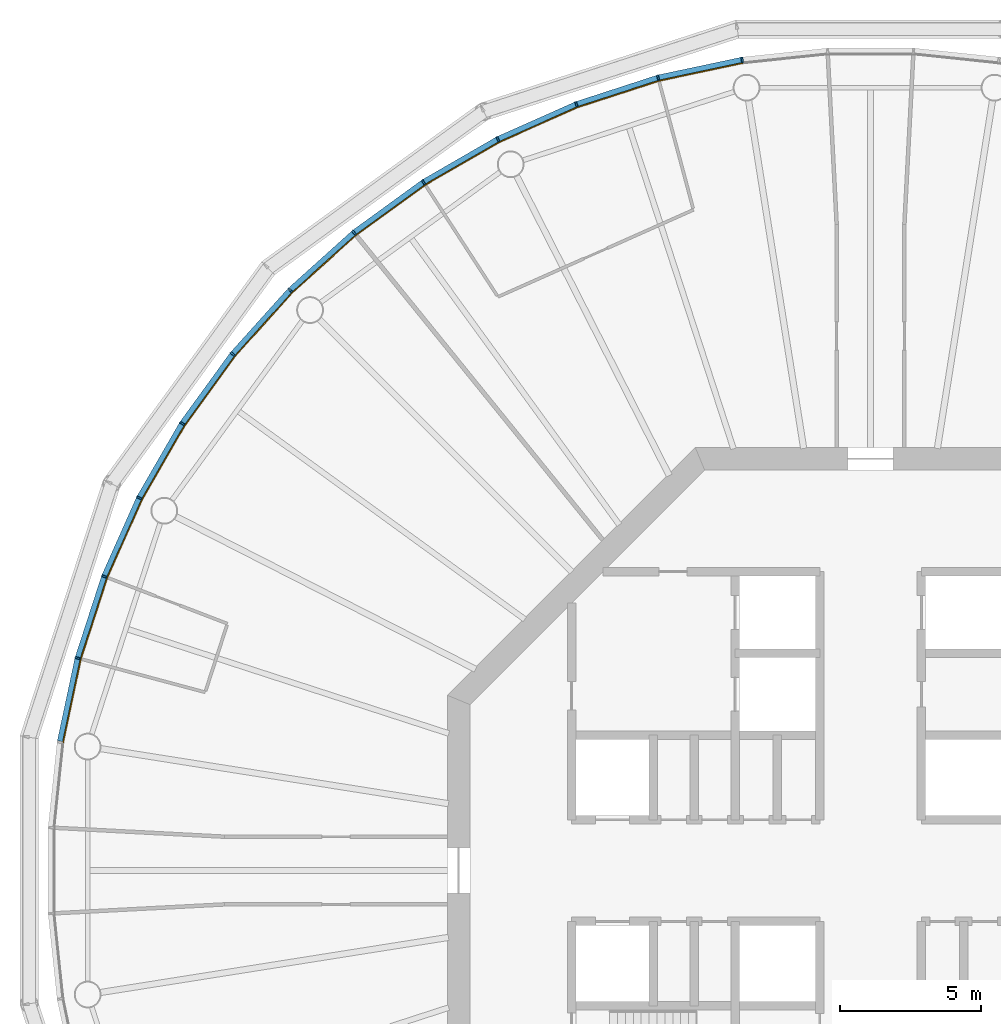
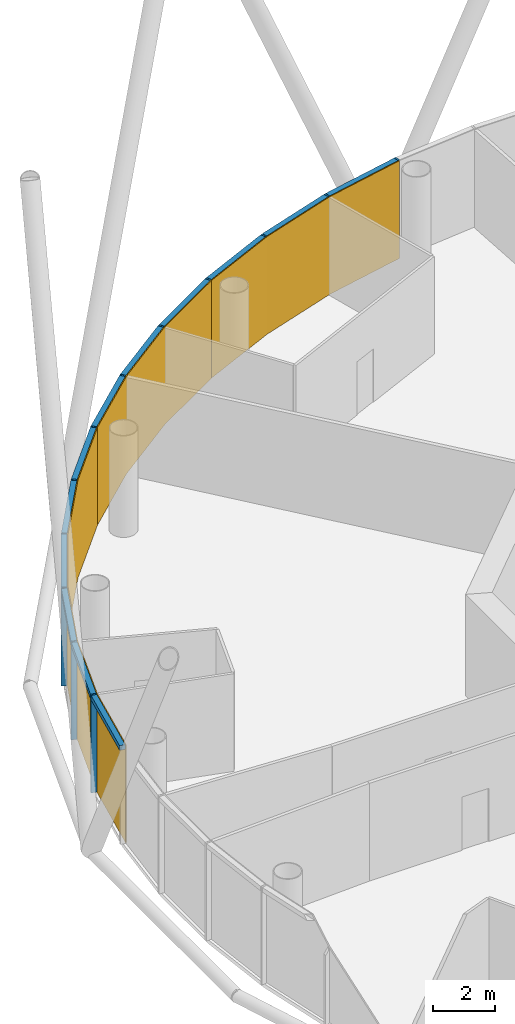
# One storey, part 10 of 13: 24 members, 4 curtain walls.
"""IFC4 building model written with IfcOpenShell, lengths in metres."""

from ifc_helpers import new_model, si_unit, direction, frame, origin, origin_2d, place, context, subcontext, project, spatial, polyline, rectangle, outline, extrude, material, layer, layer_set, material_profile, profile_set, type_object, element, aggregate, save


model = new_model("IFC4")

# Units and contexts
model_context = context("Model", 3, precision=1e-05, world=origin(), true_north=direction((0.0, 1.0)))
body_context = subcontext(model_context, "Body", "Model", "MODEL_VIEW")
ifc_project = project(units=[si_unit("LENGTHUNIT", "METRE"), si_unit("AREAUNIT", "SQUARE_METRE"), si_unit("VOLUMEUNIT", "CUBIC_METRE"), si_unit("PLANEANGLEUNIT", "RADIAN"), si_unit("MASSUNIT", "GRAM", prefix="KILO")], contexts=[model_context])

# Member
ifc_material_1 = material(Name="Anodised aluminium", Category="aluminium")
ifc_material_profile_1 = material_profile(ifc_material_1, rectangle(XDim=0.06494140625, YDim=0.195068359375, at=origin_2d()), Name="Mullion 65 x 195 mm anodised aluminium")
ifc_profile_set_1 = profile_set([ifc_material_profile_1], Name="Anodised aluminium")
member_type_1 = type_object("IfcMemberType", Name="Mullion 65 x 195 mm anodised aluminium", PredefinedType="MULLION", material=ifc_profile_set_1)
site_placement = place(None, origin())
building_placement = place(site_placement, origin())
storey_placement = place(building_placement, frame((0.0, 0.0, 310.0)))
member_1_placement = place(storey_placement, frame((85.4482421875, 108.7392578125, 0.0), z_axis=(0.0, 0.0, 1.0), x_axis=(-0.987688340595, -0.15643446504, 0.0)))
member_1 = element("IfcMember", 1, at=member_1_placement, type_object=member_type_1, Name="MULLION L71-15", PredefinedType="MULLION", context=body_context, shape_type="SweptSolid", body=[
    extrude(rectangle(XDim=0.06494140625, YDim=0.195068359375, at=origin_2d()), origin(), (0.0, 0.0, 1.0), 3.85009765625),
])

member_2_placement = place(storey_placement, frame((82.468994140625, 108.10595703125, 0.0), z_axis=(0.0, 0.0, 1.0), x_axis=(-0.965925826289, -0.258819045103, 0.0)))
member_2 = element("IfcMember", 2, at=member_2_placement, type_object=member_type_1, Name="MULLION L71-16", PredefinedType="MULLION", context=body_context, shape_type="SweptSolid", body=[
    extrude(rectangle(XDim=0.06494140625, YDim=0.195068359375, at=origin_2d()), origin(), (0.0, 0.0, 1.0), 3.85009765625),
])

member_3_placement = place(storey_placement, frame((79.572509765625, 107.164794921875, 0.0), z_axis=(0.0, 0.0, 1.0), x_axis=(-0.933580426497, -0.358367949545, 0.0)))
member_3 = element("IfcMember", 3, at=member_3_placement, type_object=member_type_1, Name="MULLION L71-17", PredefinedType="MULLION", context=body_context, shape_type="SweptSolid", body=[
    extrude(rectangle(XDim=0.06494140625, YDim=0.195068359375, at=origin_2d()), origin(), (0.0, 0.0, 1.0), 3.85009765625),
])

member_4_placement = place(storey_placement, frame((76.7900390625, 105.926025390625, 0.0), z_axis=(0.0, 0.0, 1.0), x_axis=(-0.891006524188, -0.45399049974, 0.0)))
member_4 = element("IfcMember", 4, at=member_4_placement, type_object=member_type_1, Name="MULLION L71-18", PredefinedType="MULLION", context=body_context, shape_type="SweptSolid", body=[
    extrude(rectangle(XDim=0.06494140625, YDim=0.195068359375, at=origin_2d()), origin(), (0.0, 0.0, 1.0), 3.85009765625),
])

member_5_placement = place(storey_placement, frame((74.15234375, 104.4033203125, 0.0), z_axis=(0.0, 0.0, 1.0), x_axis=(-0.838670567945, -0.544639035015, 0.0)))
member_5 = element("IfcMember", 5, at=member_5_placement, type_object=member_type_1, Name="MULLION L71-19", PredefinedType="MULLION", context=body_context, shape_type="SweptSolid", body=[
    extrude(rectangle(XDim=0.06494140625, YDim=0.195068359375, at=origin_2d()), origin(), (0.0, 0.0, 1.0), 3.85009765625),
])

member_6_placement = place(storey_placement, frame((71.688232421875, 102.613037109375, 0.0), z_axis=(0.0, 0.0, 1.0), x_axis=(-0.777145961457, -0.62932039105, 0.0)))
member_6 = element("IfcMember", 6, at=member_6_placement, type_object=member_type_1, Name="MULLION L71-20", PredefinedType="MULLION", context=body_context, shape_type="SweptSolid", body=[
    extrude(rectangle(XDim=0.06494140625, YDim=0.195068359375, at=origin_2d()), origin(), (0.0, 0.0, 1.0), 3.85009765625),
])

member_7_placement = place(storey_placement, frame((69.425048828125, 100.574951171875, 0.0), z_axis=(0.0, 0.0, 1.0), x_axis=(-0.707106781187, -0.707106781187, 0.0)))
member_7 = element("IfcMember", 7, at=member_7_placement, type_object=member_type_1, Name="MULLION L71-21", PredefinedType="MULLION", context=body_context, shape_type="SweptSolid", body=[
    extrude(rectangle(XDim=0.06494140625, YDim=0.195068359375, at=origin_2d()), origin(), (0.0, 0.0, 1.0), 3.85009765625),
])

member_8_placement = place(storey_placement, frame((67.386962890625, 98.311767578125, 0.0), z_axis=(0.0, 0.0, 1.0), x_axis=(-0.62932039105, -0.777145961457, 0.0)))
member_8 = element("IfcMember", 8, at=member_8_placement, type_object=member_type_1, Name="MULLION L71-22", PredefinedType="MULLION", context=body_context, shape_type="SweptSolid", body=[
    extrude(rectangle(XDim=0.06494140625, YDim=0.195068359375, at=origin_2d()), origin(), (0.0, 0.0, 1.0), 3.85009765625),
])

member_9_placement = place(storey_placement, frame((65.5966796875, 95.84765625, 0.0), z_axis=(0.0, 0.0, 1.0), x_axis=(-0.544639035015, -0.838670567945, 0.0)))
member_9 = element("IfcMember", 9, at=member_9_placement, type_object=member_type_1, Name="MULLION L71-23", PredefinedType="MULLION", context=body_context, shape_type="SweptSolid", body=[
    extrude(rectangle(XDim=0.06494140625, YDim=0.195068359375, at=origin_2d()), origin(), (0.0, 0.0, 1.0), 3.85009765625),
])

member_10_placement = place(storey_placement, frame((64.073974609375, 93.2099609375, 0.0), z_axis=(0.0, 0.0, 1.0), x_axis=(-0.45399049974, -0.891006524188, 0.0)))
member_10 = element("IfcMember", 10, at=member_10_placement, type_object=member_type_1, Name="MULLION L71-24", PredefinedType="MULLION", context=body_context, shape_type="SweptSolid", body=[
    extrude(rectangle(XDim=0.06494140625, YDim=0.195068359375, at=origin_2d()), origin(), (0.0, 0.0, 1.0), 3.85009765625),
])

member_11_placement = place(storey_placement, frame((62.835205078125, 90.427490234375, 0.0), z_axis=(0.0, 0.0, 1.0), x_axis=(-0.358367949545, -0.933580426497, 0.0)))
member_11 = element("IfcMember", 11, at=member_11_placement, type_object=member_type_1, Name="MULLION L71-25", PredefinedType="MULLION", context=body_context, shape_type="SweptSolid", body=[
    extrude(rectangle(XDim=0.06494140625, YDim=0.195068359375, at=origin_2d()), origin(), (0.0, 0.0, 1.0), 3.85009765625),
])

member_12_placement = place(storey_placement, frame((61.89404296875, 87.531005859375, 0.0), z_axis=(0.0, 0.0, 1.0), x_axis=(-0.258819045103, -0.965925826289, 0.0)))
member_12 = element("IfcMember", 12, at=member_12_placement, type_object=member_type_1, Name="MULLION L71-26", PredefinedType="MULLION", context=body_context, shape_type="SweptSolid", body=[
    extrude(rectangle(XDim=0.06494140625, YDim=0.195068359375, at=origin_2d()), origin(), (0.0, 0.0, 1.0), 3.85009765625),
])

ifc_material_2 = material(Name="Anodised aluminium", Category="aluminium")
ifc_material_profile_2 = material_profile(ifc_material_2, rectangle(XDim=0.195068359375, YDim=0.179931640625, at=origin_2d()), Name="Transom 180 x 195 mm anodised aluminium")
ifc_profile_set_2 = profile_set([ifc_material_profile_2], Name="Anodised aluminium")
member_type_2 = type_object("IfcMemberType", Name="Transom 180 x 195 mm anodised aluminium", PredefinedType="USERDEFINED", material=ifc_profile_set_2)
member_13_placement = place(storey_placement, frame((85.411376953125, 108.731689453125, 3.760009765625), z_axis=(-0.978141510112, -0.207940342877, 0.0), x_axis=(0.207940342877, -0.978141510112, 0.0)))
member_13 = element("IfcMember", 13, at=member_13_placement, type_object=member_type_2, Name="TRANSOM L71-15", ObjectType="TRANSOM", PredefinedType="USERDEFINED", context=body_context, shape_type="SweptSolid", body=[
    extrude(rectangle(XDim=0.195068359375, YDim=0.179931640625, at=origin_2d()), origin(), (0.0, 0.0, 1.0), 2.970458984375),
])

member_14_placement = place(storey_placement, frame((82.43310546875, 108.094482421875, 3.760009765625), z_axis=(-0.951047960094, -0.309043326415, 0.0), x_axis=(0.309043326415, -0.951047960094, 0.0)))
member_14 = element("IfcMember", 14, at=member_14_placement, type_object=member_type_2, Name="TRANSOM L71-16", ObjectType="TRANSOM", PredefinedType="USERDEFINED", context=body_context, shape_type="SweptSolid", body=[
    extrude(rectangle(XDim=0.195068359375, YDim=0.179931640625, at=origin_2d()), origin(), (0.0, 0.0, 1.0), 2.970458984375),
])

member_15_placement = place(storey_placement, frame((79.5380859375, 107.149658203125, 3.760009765625), z_axis=(-0.913550406593, -0.406725527369, 0.0), x_axis=(0.406725527369, -0.913550406593, 0.0)))
member_15 = element("IfcMember", 15, at=member_15_placement, type_object=member_type_2, Name="TRANSOM L71-17", ObjectType="TRANSOM", PredefinedType="USERDEFINED", context=body_context, shape_type="SweptSolid", body=[
    extrude(rectangle(XDim=0.195068359375, YDim=0.179931640625, at=origin_2d()), origin(), (0.0, 0.0, 1.0), 2.970703125),
])

member_16_placement = place(storey_placement, frame((76.75732421875, 105.907470703125, 3.760009765625), z_axis=(-0.866009025146, -0.500028367561, 0.0), x_axis=(0.500028367561, -0.866009025146, 0.0)))
member_16 = element("IfcMember", 16, at=member_16_placement, type_object=member_type_2, Name="TRANSOM L71-18", ObjectType="TRANSOM", PredefinedType="USERDEFINED", context=body_context, shape_type="SweptSolid", body=[
    extrude(rectangle(XDim=0.195068359375, YDim=0.179931640625, at=origin_2d()), origin(), (0.0, 0.0, 1.0), 2.970458984375),
])

member_17_placement = place(storey_placement, frame((74.121826171875, 104.381103515625, 3.760009765625), z_axis=(-0.809030990733, -0.587765987476, 0.0), x_axis=(0.587765987476, -0.809030990733, 0.0)))
member_17 = element("IfcMember", 17, at=member_17_placement, type_object=member_type_2, Name="TRANSOM L71-19", ObjectType="TRANSOM", PredefinedType="USERDEFINED", context=body_context, shape_type="SweptSolid", body=[
    extrude(rectangle(XDim=0.195068359375, YDim=0.179931640625, at=origin_2d()), origin(), (0.0, 0.0, 1.0), 2.97021484375),
])

member_18_placement = place(storey_placement, frame((71.660400390625, 102.587890625, 3.760009765625), z_axis=(-0.743163354343, -0.669110027395, 0.0), x_axis=(0.669110027395, -0.743163354343, 0.0)))
member_18 = element("IfcMember", 18, at=member_18_placement, type_object=member_type_2, Name="TRANSOM L71-20", ObjectType="TRANSOM", PredefinedType="USERDEFINED", context=body_context, shape_type="SweptSolid", body=[
    extrude(rectangle(XDim=0.195068359375, YDim=0.179931640625, at=origin_2d()), origin(), (0.0, 0.0, 1.0), 2.970458984375),
])

member_19_placement = place(storey_placement, frame((69.399658203125, 100.547119140625, 3.760009765625), z_axis=(-0.669110027395, -0.743163354343, 0.0), x_axis=(0.743163354343, -0.669110027395, 0.0)))
member_19 = element("IfcMember", 19, at=member_19_placement, type_object=member_type_2, Name="TRANSOM L71-21", ObjectType="TRANSOM", PredefinedType="USERDEFINED", context=body_context, shape_type="SweptSolid", body=[
    extrude(rectangle(XDim=0.195068359375, YDim=0.179931640625, at=origin_2d()), origin(), (0.0, 0.0, 1.0), 2.970458984375),
])

member_20_placement = place(storey_placement, frame((67.36474609375, 98.28125, 3.760009765625), z_axis=(-0.587765987476, -0.809030990733, 0.0), x_axis=(0.809030990733, -0.587765987476, 0.0)))
member_20 = element("IfcMember", 20, at=member_20_placement, type_object=member_type_2, Name="TRANSOM L71-22", ObjectType="TRANSOM", PredefinedType="USERDEFINED", context=body_context, shape_type="SweptSolid", body=[
    extrude(rectangle(XDim=0.195068359375, YDim=0.179931640625, at=origin_2d()), origin(), (0.0, 0.0, 1.0), 2.97021484375),
])

member_21_placement = place(storey_placement, frame((65.577880859375, 95.815185546875, 3.760009765625), z_axis=(-0.500028367561, -0.866009025146, 0.0), x_axis=(0.866009025146, -0.500028367561, 0.0)))
member_21 = element("IfcMember", 21, at=member_21_placement, type_object=member_type_2, Name="TRANSOM L71-23", ObjectType="TRANSOM", PredefinedType="USERDEFINED", context=body_context, shape_type="SweptSolid", body=[
    extrude(rectangle(XDim=0.195068359375, YDim=0.179931640625, at=origin_2d()), origin(), (0.0, 0.0, 1.0), 2.970458984375),
])

member_22_placement = place(storey_placement, frame((64.05859375, 93.17578125, 3.760009765625), z_axis=(-0.406725527369, -0.913550406593, 0.0), x_axis=(0.913550406593, -0.406725527369, 0.0)))
member_22 = element("IfcMember", 22, at=member_22_placement, type_object=member_type_2, Name="TRANSOM L71-24", ObjectType="TRANSOM", PredefinedType="USERDEFINED", context=body_context, shape_type="SweptSolid", body=[
    extrude(rectangle(XDim=0.195068359375, YDim=0.179931640625, at=origin_2d()), origin(), (0.0, 0.0, 1.0), 2.970703125),
])

member_23_placement = place(storey_placement, frame((62.823486328125, 90.391845703125, 3.760009765625), z_axis=(-0.309043326415, -0.951047960094, 0.0), x_axis=(0.951047960094, -0.309043326415, 0.0)))
member_23 = element("IfcMember", 23, at=member_23_placement, type_object=member_type_2, Name="TRANSOM L71-25", ObjectType="TRANSOM", PredefinedType="USERDEFINED", context=body_context, shape_type="SweptSolid", body=[
    extrude(rectangle(XDim=0.195068359375, YDim=0.179931640625, at=origin_2d()), origin(), (0.0, 0.0, 1.0), 2.970458984375),
])

member_24_placement = place(storey_placement, frame((61.885986328125, 87.494140625, 3.760009765625), z_axis=(-0.207940342877, -0.978141510112, 0.0), x_axis=(0.978141510112, -0.207940342877, 0.0)))
member_24 = element("IfcMember", 24, at=member_24_placement, type_object=member_type_2, Name="TRANSOM L71-26", ObjectType="TRANSOM", PredefinedType="USERDEFINED", context=body_context, shape_type="SweptSolid", body=[
    extrude(rectangle(XDim=0.195068359375, YDim=0.179931640625, at=origin_2d()), origin(), (0.0, 0.0, 1.0), 2.970458984375),
])

# Site, building, storey
site = spatial("IfcSite", under=ifc_project, at=site_placement, CompositionType="ELEMENT")
building = spatial("IfcBuilding", under=site, at=building_placement, Name="Entoto Ring Tower", CompositionType="ELEMENT")
storey = spatial("IfcBuildingStorey", under=building, at=storey_placement, Name="L71", CompositionType="ELEMENT", Elevation=310.0)

# Curtain wall
ifc_material_3 = material(Name="Clear low-iron glass", Category="glass")
ifc_layer = layer(ifc_material_3, 0.033935546875)
ifc_layer_set = layer_set([ifc_layer], Name="Clear low-iron glass")
curtain_wall_type = type_object("IfcCurtainWallType", Name="Curtain wall system CW5 glazing 34 mm", PredefinedType="NOTDEFINED", material=ifc_layer_set)
curtain_wall_1_placement = place(storey_placement, origin())
curtain_wall_1 = element("IfcCurtainWall", 25, at=curtain_wall_1_placement, inside=storey, type_object=curtain_wall_type, Name="CW5 L71-06", PredefinedType="NOTDEFINED", context=body_context, shape_type="SweptSolid", body=[
    extrude(outline(polyline([(85.46337890625, 108.64306640625), (82.494140625, 108.011962890625), (79.607421875, 107.07373046875), (76.834228515625, 105.839111328125), (76.849853515625, 105.808837890625), (79.61962890625, 107.0419921875), (82.503173828125, 107.97900390625), (85.46875, 108.609375), (85.46337890625, 108.64306640625)])), origin(), (0.0, 0.0, 1.0), 3.85009765625),
])

aggregate(curtain_wall_1, [member_1, member_2, member_3, member_13, member_14, member_15])

curtain_wall_2_placement = place(storey_placement, origin())
curtain_wall_2 = element("IfcCurtainWall", 26, at=curtain_wall_2_placement, inside=storey, type_object=curtain_wall_type, Name="CW5 L71-07", PredefinedType="NOTDEFINED", context=body_context, shape_type="SweptSolid", body=[
    extrude(outline(polyline([(76.834228515625, 105.839111328125), (74.20556640625, 104.321533203125), (71.749755859375, 102.537353515625), (69.493896484375, 100.506103515625), (69.51806640625, 100.48193359375), (71.771240234375, 102.5107421875), (74.22412109375, 104.29296875), (76.849853515625, 105.808837890625), (76.834228515625, 105.839111328125)])), origin(), (0.0, 0.0, 1.0), 3.85009765625),
])

aggregate(curtain_wall_2, [member_4, member_5, member_6, member_16, member_17, member_18])

curtain_wall_3_placement = place(storey_placement, origin())
curtain_wall_3 = element("IfcCurtainWall", 27, at=curtain_wall_3_placement, inside=storey, type_object=curtain_wall_type, Name="CW5 L71-08", PredefinedType="NOTDEFINED", context=body_context, shape_type="SweptSolid", body=[
    extrude(outline(polyline([(69.493896484375, 100.506103515625), (67.462646484375, 98.250244140625), (65.678466796875, 95.79443359375), (64.160888671875, 93.165771484375), (64.191162109375, 93.150146484375), (65.70703125, 95.77587890625), (67.4892578125, 98.228759765625), (69.51806640625, 100.48193359375), (69.493896484375, 100.506103515625)])), origin(), (0.0, 0.0, 1.0), 3.85009765625),
])

aggregate(curtain_wall_3, [member_7, member_8, member_9, member_19, member_20, member_21])

curtain_wall_4_placement = place(storey_placement, origin())
curtain_wall_4 = element("IfcCurtainWall", 28, at=curtain_wall_4_placement, inside=storey, type_object=curtain_wall_type, Name="CW5 L71-09", PredefinedType="NOTDEFINED", context=body_context, shape_type="SweptSolid", body=[
    extrude(outline(polyline([(64.160888671875, 93.165771484375), (62.92626953125, 90.392578125), (61.988037109375, 87.505859375), (61.35693359375, 84.53662109375), (61.390625, 84.53125), (62.02099609375, 87.496826171875), (62.9580078125, 90.38037109375), (64.191162109375, 93.150146484375), (64.160888671875, 93.165771484375)])), origin(), (0.0, 0.0, 1.0), 3.85009765625),
])

aggregate(curtain_wall_4, [member_10, member_11, member_12, member_22, member_23, member_24])

save(model, "model.ifc")
